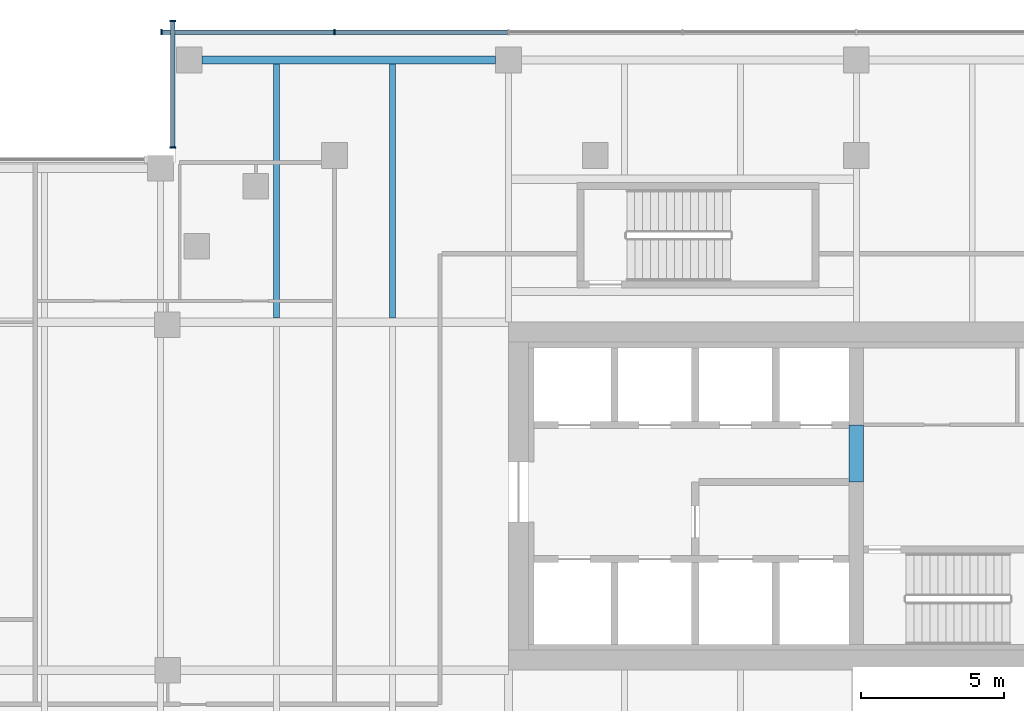
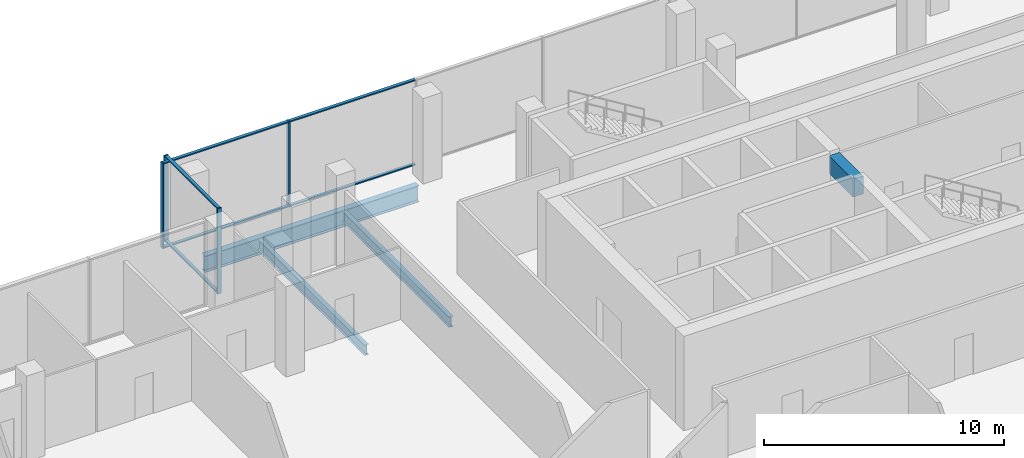
# One storey, part 11 of 33: 10 members, 4 beams, 2 elements without a shape of their own.
"""IFC4 building model written with IfcOpenShell, lengths in metres."""

from ifc_helpers import new_model, si_unit, direction, frame, origin, origin_2d, place, context, subcontext, project, spatial, rectangle, i_section, extrude, material, material_profile, profile_set, type_object, element, aggregate, save


model = new_model("IFC4")

# Units and contexts
model_context = context("Model", 3, precision=1e-05, world=origin(), true_north=direction((0.0, 1.0)))
body_context = subcontext(model_context, "Body", "Model", "MODEL_VIEW")
ifc_project = project(units=[si_unit("LENGTHUNIT", "METRE"), si_unit("AREAUNIT", "SQUARE_METRE"), si_unit("VOLUMEUNIT", "CUBIC_METRE"), si_unit("PLANEANGLEUNIT", "RADIAN"), si_unit("MASSUNIT", "GRAM", prefix="KILO")], contexts=[model_context])

# Site, building, storey
site_placement = place(None, origin())
site = spatial("IfcSite", under=ifc_project, at=site_placement, CompositionType="ELEMENT")
building_placement = place(site_placement, origin())
building = spatial("IfcBuilding", under=site, at=building_placement, Name="Tessera Gate Towers", CompositionType="ELEMENT")
storey_placement = place(building_placement, frame((0.0, 0.0, 12.0)))
storey = spatial("IfcBuildingStorey", under=building, at=storey_placement, Name="L02", CompositionType="ELEMENT", Elevation=12.0)

# Beams
ifc_material_1 = material(Name="Concrete C60/75", Category="concrete")
ifc_material_profile_1 = material_profile(ifc_material_1, rectangle(XDim=0.5, YDim=0.89990234375, at=origin_2d()), Name="RC 500x900")
ifc_profile_set_1 = profile_set([ifc_material_profile_1], Name="Concrete C60/75")
beam_type_1 = type_object("IfcBeamType", Name="COUPLING BEAM 500x900 C60/75", PredefinedType="BEAM", material=ifc_profile_set_1)
beam_1_placement = place(storey_placement, frame((109.800048828125, 43.199951171875, 4.14990234375), z_axis=(0.0, 1.0, 0.0), x_axis=(-1.0, 0.0, 0.0)))
element("IfcBeam", 1, at=beam_1_placement, inside=storey, type_object=beam_type_1, Name="L02 coupling beam 1", PredefinedType="BEAM", context=body_context, shape_type="SweptSolid", body=[
    extrude(rectangle(XDim=0.5, YDim=0.89990234375, at=origin_2d()), origin(), (0.0, 0.0, 1.0), 2.0),
])
ifc_material_2 = material(Name="Steel 350W", Category="steel")
ifc_material_profile_2 = material_profile(ifc_material_2, i_section(OverallWidth=0.2919921875, OverallDepth=0.8349609375, WebThickness=0.013916015625, FlangeThickness=0.018798828125, at=origin_2d()), Name="W840x176")
ifc_profile_set_2 = profile_set([ifc_material_profile_2], Name="Steel 350W")
beam_type_2 = type_object("IfcBeamType", Name="FLOOR GIRDER W840x176", PredefinedType="BEAM", material=ifc_profile_set_2)
beam_2_placement = place(storey_placement, frame((86.85009765625, 58.0, -0.66748046875), z_axis=(1.0, 0.0, 0.0), x_axis=(0.0, 1.0, 0.0)))
element("IfcBeam", 2, at=beam_2_placement, inside=storey, type_object=beam_type_2, Name="PD-GD-L02-411", PredefinedType="BEAM", context=body_context, shape_type="SweptSolid", body=[
    extrude(i_section(OverallWidth=0.2919921875, OverallDepth=0.8349609375, WebThickness=0.013916015625, FlangeThickness=0.018798828125, at=origin_2d()), origin(), (0.0, 0.0, 1.0), 10.2998046875),
])
ifc_material_3 = material(Name="Steel 350W", Category="steel")
ifc_material_profile_3 = material_profile(ifc_material_3, i_section(OverallWidth=0.208984375, OverallDepth=0.528076171875, WebThickness=0.009521484375, FlangeThickness=0.01318359375, at=origin_2d()), Name="W530x82")
ifc_profile_set_3 = profile_set([ifc_material_profile_3], Name="Steel 350W")
beam_type_3 = type_object("IfcBeamType", Name="FLOOR SECONDARY W530x82", PredefinedType="BEAM", material=ifc_profile_set_3)
for number, where, z_axis, x_axis, name in (
    (3, (89.466796875, 48.946044921875, -0.513916015625), (0.0, 1.0, 0.0), (-1.0, 0.0, 0.0), "PD-BM-L02-522"),
    (4, (93.533203125, 48.946044921875, -0.513916015625), (0.0, 1.0, 0.0), (-1.0, 0.0, 0.0), "PD-BM-L02-526"),
):
    element("IfcBeam", number, at=place(storey_placement, frame(where, z_axis=z_axis, x_axis=x_axis)), inside=storey, type_object=beam_type_3, Name=name, PredefinedType="BEAM", context=body_context, shape_type="SweptSolid", body=[
        extrude(i_section(OverallWidth=0.208984375, OverallDepth=0.528076171875, WebThickness=0.009521484375, FlangeThickness=0.01318359375, at=origin_2d()), origin(), (0.0, 0.0, 1.0), 8.907958984375),
    ])

# Curtain wall, members
ifc_material_4 = material(Name="Aluminium frame", Category="aluminium")
curtain_wall_type = type_object("IfcCurtainWallType", Name="CW-S1 podium storefront", PredefinedType="NOTDEFINED", material=ifc_material_4)
curtain_wall_1_placement = place(storey_placement, origin())
curtain_wall_1 = element("IfcCurtainWall", 5, at=curtain_wall_1_placement, inside=storey, type_object=curtain_wall_type, Name="Curtain wall podium storefront 0193", PredefinedType="NOTDEFINED")
ifc_material_5 = material(Name="Aluminium frame", Category="aluminium")
ifc_material_profile_4 = material_profile(ifc_material_5, rectangle(XDim=0.06005859375, YDim=0.199951171875, at=origin_2d()), Name="AL 60x200")
ifc_profile_set_4 = profile_set([ifc_material_profile_4], Name="Aluminium frame")
member_type_1 = type_object("IfcMemberType", Name="MU-S1 mullion 60x200", PredefinedType="MULLION", material=ifc_profile_set_4)
member_1_placement = place(storey_placement, frame((91.5, 58.97509765625, 0.0), z_axis=(0.0, 0.0, 1.0), x_axis=(-1.0, 0.0, 0.0)))
member_1 = element("IfcMember", 6, at=member_1_placement, type_object=member_type_1, Name="PD-CW1-0193 mullion 7", PredefinedType="MULLION", context=body_context, shape_type="SweptSolid", body=[
    extrude(rectangle(XDim=0.06005859375, YDim=0.199951171875, at=origin_2d()), origin(), (0.0, 0.0, 1.0), 4.35009765625),
])
member_2_placement = place(storey_placement, frame((85.429931640625, 58.97509765625, 0.0), z_axis=(0.0, 0.0, 1.0), x_axis=(-1.0, 0.0, 0.0)))
member_2 = element("IfcMember", 7, at=member_2_placement, type_object=member_type_1, Name="PD-CW1-0193 mullion 8", PredefinedType="MULLION", context=body_context, shape_type="SweptSolid", body=[
    extrude(rectangle(XDim=0.06005859375, YDim=0.199951171875, at=origin_2d()), origin(), (0.0, 0.0, 1.0), 4.35009765625),
])

curtain_wall_2_placement = place(storey_placement, origin())
curtain_wall_2 = element("IfcCurtainWall", 8, at=curtain_wall_2_placement, inside=storey, type_object=curtain_wall_type, Name="Curtain wall podium storefront 0196", PredefinedType="NOTDEFINED")
member_3_placement = place(storey_placement, frame((85.824951171875, 59.3701171875, 0.0), z_axis=(0.0, 0.0, 1.0), x_axis=(0.0, -1.0, 0.0)))
member_3 = element("IfcMember", 9, at=member_3_placement, type_object=member_type_1, Name="PD-CW1-0196 mullion 1", PredefinedType="MULLION", context=body_context, shape_type="SweptSolid", body=[
    extrude(rectangle(XDim=0.06005859375, YDim=0.199951171875, at=origin_2d()), origin(), (0.0, 0.0, 1.0), 4.35009765625),
])
member_4_placement = place(storey_placement, frame((85.824951171875, 54.929931640625, 0.0), z_axis=(0.0, 0.0, 1.0), x_axis=(0.0, -1.0, 0.0)))
member_4 = element("IfcMember", 10, at=member_4_placement, type_object=member_type_1, Name="PD-CW1-0196 mullion 2", PredefinedType="MULLION", context=body_context, shape_type="SweptSolid", body=[
    extrude(rectangle(XDim=0.06005859375, YDim=0.199951171875, at=origin_2d()), origin(), (0.0, 0.0, 1.0), 4.35009765625),
])

# Member
ifc_material_6 = material(Name="Aluminium frame", Category="aluminium")
ifc_material_profile_5 = material_profile(ifc_material_6, rectangle(XDim=0.14990234375, YDim=0.06005859375, at=origin_2d()), Name="AL 60x150")
ifc_profile_set_5 = profile_set([ifc_material_profile_5], Name="Aluminium frame")
member_type_2 = type_object("IfcMemberType", Name="TR-S1 transom 60x150", PredefinedType="USERDEFINED", material=ifc_profile_set_5)
member_5_placement = place(storey_placement, frame((97.570068359375, 58.97509765625, 0.030029296875), z_axis=(-1.0, 0.0, 0.0), x_axis=(0.0, -1.0, 0.0)))
member_5 = element("IfcMember", 11, at=member_5_placement, type_object=member_type_2, Name="PD-CW1-0193 transom 6.1", ObjectType="TRANSOM", PredefinedType="USERDEFINED", context=body_context, shape_type="SweptSolid", body=[
    extrude(rectangle(XDim=0.14990234375, YDim=0.06005859375, at=origin_2d()), origin(), (0.0, 0.0, 1.0), 6.0400390625),
])

member_6_placement = place(storey_placement, frame((97.570068359375, 58.97509765625, 4.320068359375), z_axis=(-1.0, 0.0, 0.0), x_axis=(0.0, -1.0, 0.0)))
member_6 = element("IfcMember", 12, at=member_6_placement, type_object=member_type_2, Name="PD-CW1-0193 transom 6.2", ObjectType="TRANSOM", PredefinedType="USERDEFINED", context=body_context, shape_type="SweptSolid", body=[
    extrude(rectangle(XDim=0.14990234375, YDim=0.06005859375, at=origin_2d()), origin(), (0.0, 0.0, 1.0), 6.0400390625),
])

member_7_placement = place(storey_placement, frame((91.469970703125, 58.97509765625, 0.030029296875), z_axis=(-1.0, 0.0, 0.0), x_axis=(0.0, -1.0, 0.0)))
member_7 = element("IfcMember", 13, at=member_7_placement, type_object=member_type_2, Name="PD-CW1-0193 transom 7.1", ObjectType="TRANSOM", PredefinedType="USERDEFINED", context=body_context, shape_type="SweptSolid", body=[
    extrude(rectangle(XDim=0.14990234375, YDim=0.06005859375, at=origin_2d()), origin(), (0.0, 0.0, 1.0), 6.010009765625),
])

member_8_placement = place(storey_placement, frame((91.469970703125, 58.97509765625, 4.320068359375), z_axis=(-1.0, 0.0, 0.0), x_axis=(0.0, -1.0, 0.0)))
member_8 = element("IfcMember", 14, at=member_8_placement, type_object=member_type_2, Name="PD-CW1-0193 transom 7.2", ObjectType="TRANSOM", PredefinedType="USERDEFINED", context=body_context, shape_type="SweptSolid", body=[
    extrude(rectangle(XDim=0.14990234375, YDim=0.06005859375, at=origin_2d()), origin(), (0.0, 0.0, 1.0), 6.010009765625),
])

aggregate(curtain_wall_1, [member_1, member_2, member_5, member_6, member_7, member_8])

member_9_placement = place(storey_placement, frame((85.824951171875, 59.340087890625, 0.030029296875), z_axis=(0.0, -1.0, 0.0), x_axis=(1.0, 0.0, 0.0)))
member_9 = element("IfcMember", 15, at=member_9_placement, type_object=member_type_2, Name="PD-CW1-0196 transom 1.1", ObjectType="TRANSOM", PredefinedType="USERDEFINED", context=body_context, shape_type="SweptSolid", body=[
    extrude(rectangle(XDim=0.14990234375, YDim=0.06005859375, at=origin_2d()), origin(), (0.0, 0.0, 1.0), 4.380126953125),
])

member_10_placement = place(storey_placement, frame((85.824951171875, 59.340087890625, 4.320068359375), z_axis=(0.0, -1.0, 0.0), x_axis=(1.0, 0.0, 0.0)))
member_10 = element("IfcMember", 16, at=member_10_placement, type_object=member_type_2, Name="PD-CW1-0196 transom 1.2", ObjectType="TRANSOM", PredefinedType="USERDEFINED", context=body_context, shape_type="SweptSolid", body=[
    extrude(rectangle(XDim=0.14990234375, YDim=0.06005859375, at=origin_2d()), origin(), (0.0, 0.0, 1.0), 4.380126953125),
])

aggregate(curtain_wall_2, [member_3, member_4, member_9, member_10])

save(model, "model.ifc")
